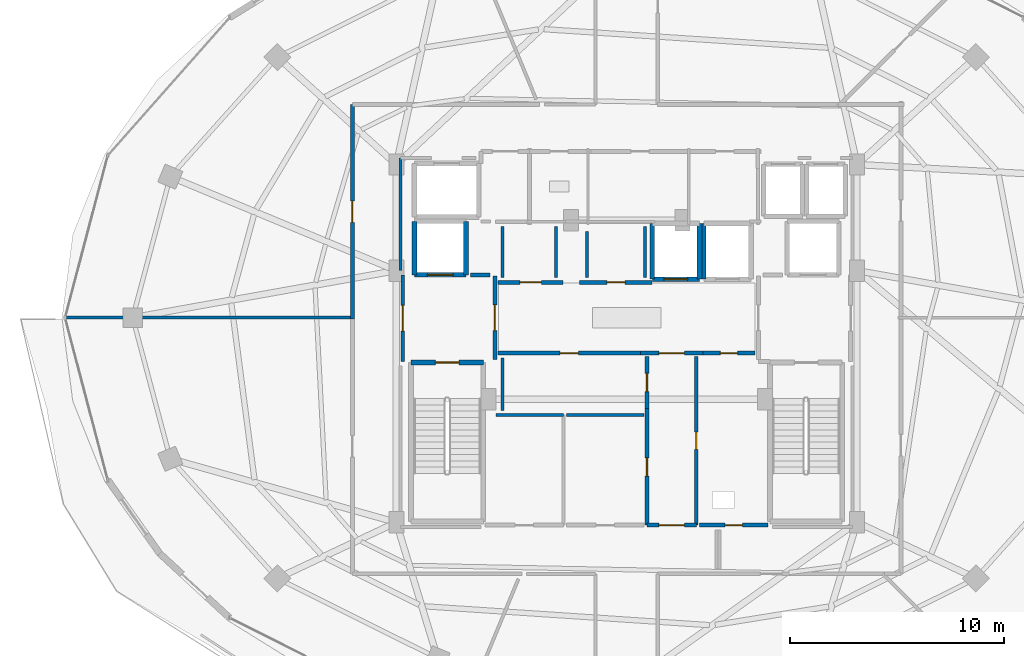
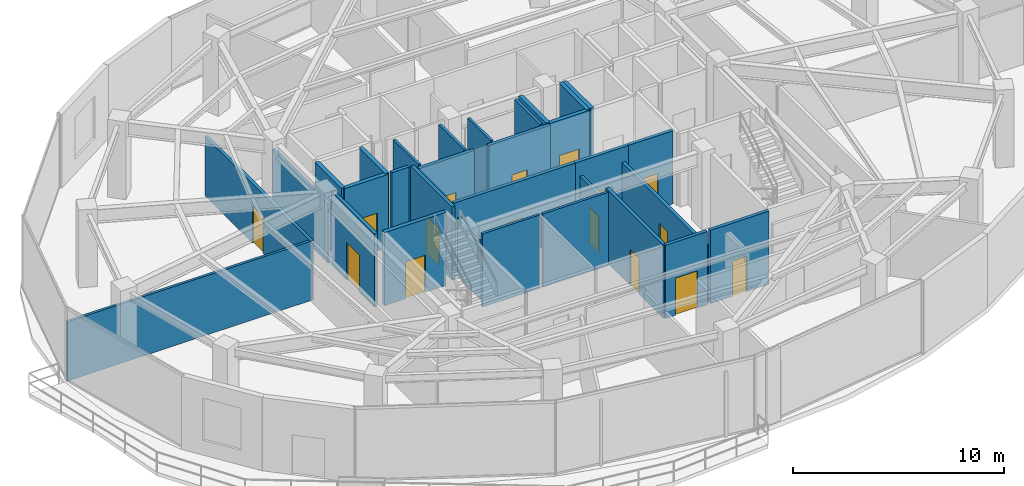
# One storey, part 21 of 27: 31 walls, 16 doors, 16 openings.
"""IFC4 building model written with IfcOpenShell, lengths in metres."""

from ifc_helpers import new_model, si_unit, direction, frame, frame_2d, origin, place, context, subcontext, project, spatial, rectangle, extrude, material, layer, layer_set, type_object, element, fill, save


model = new_model("IFC4")

# Units and contexts
model_context = context("Model", 3, precision=1e-05, world=origin(), true_north=direction((0.0, 1.0)))
body_context = subcontext(model_context, "Body", "Model", "MODEL_VIEW")
ifc_project = project(units=[si_unit("LENGTHUNIT", "METRE"), si_unit("AREAUNIT", "SQUARE_METRE"), si_unit("VOLUMEUNIT", "CUBIC_METRE"), si_unit("PLANEANGLEUNIT", "RADIAN"), si_unit("MASSUNIT", "GRAM", prefix="KILO")], contexts=[model_context])

# Site, building, storey
site_placement = place(None, origin())
site = spatial("IfcSite", under=ifc_project, at=site_placement, CompositionType="ELEMENT")
building_placement = place(site_placement, origin())
building = spatial("IfcBuilding", under=site, at=building_placement, Name="Vorneva Point Tower", CompositionType="ELEMENT")
storey_placement = place(building_placement, frame((0.0, 0.0, 229.75)))
storey = spatial("IfcBuildingStorey", under=building, at=storey_placement, Name="L62", CompositionType="ELEMENT", Elevation=229.75)

# Wall, opening, door
ifc_material_1 = material(Name="Concrete B60 (C50/60)", Category="concrete")
ifc_layer_1 = layer(ifc_material_1, 0.35009765625)
ifc_layer_set_1 = layer_set([ifc_layer_1], Name="Concrete B60 (C50/60)")
wall_type_1 = type_object("IfcWallType", Name="WL-CORE-350", PredefinedType="SHEAR", material=ifc_layer_set_1)
wall_1_placement = place(storey_placement, frame((28.10009765625, 28.0, 0.0), z_axis=(0.0, 0.0, 1.0), x_axis=(1.0, 0.0, 0.0)))
wall_1 = element("IfcWall", 1, at=wall_1_placement, inside=storey, type_object=wall_type_1, Name="L62 Lift FFL1 Shaft Wall -Y", PredefinedType="SHEAR", context=body_context, shape_type="SweptSolid", body=[
    extrude(rectangle(XDim=2.39990234375, YDim=0.219970703125, at=frame_2d((1.199951171875, 0.0))), origin(), (0.0, 0.0, 1.0), 4.239990234375),
])
opening_1_placement = place(wall_1_placement, frame((0.60009765625, 0.0, 0.0)))
opening_1 = element("IfcOpeningElement", 2, at=opening_1_placement, cuts=wall_1, Name="Opening LD-02", PredefinedType="OPENING", context=body_context, shape_type="SweptSolid", body=[
    extrude(rectangle(XDim=1.199951171875, YDim=2.199951171875, at=frame_2d((0.60009765625, 1.10009765625))), frame((0.0, 0.125, 0.0), z_axis=(0.0, -1.0, 0.0), x_axis=(1.0, 0.0, 0.0)), (0.0, 0.0, 1.0), 0.249755859375),
])
ifc_material_2 = material(Name="Brushed stainless steel S304", Category="steel")
door_type_1 = type_object("IfcDoorType", Name="LD-FIRE-1200", OperationType="SLIDING_TO_LEFT", PredefinedType="DOOR", material=ifc_material_2)
door_1_placement = place(opening_1_placement, origin())
door_1 = element("IfcDoor", 3, at=door_1_placement, inside=storey, type_object=door_type_1, Name="L62 Lift FFL1 Sliding Landing Door", OperationType="SLIDING_TO_LEFT", OverallHeight=2.199951171875, OverallWidth=1.199951171875, PredefinedType="DOOR", context=body_context, shape_type="SweptSolid", body=[
    extrude(rectangle(XDim=1.199951171875, YDim=2.199951171875, at=frame_2d((0.60009765625, 1.10009765625))), frame((0.0, 0.02490234375, 0.0), z_axis=(0.0, -1.0, 0.0), x_axis=(1.0, 0.0, 0.0)), (0.0, 0.0, 1.0), 0.050048828125),
])
fill(opening_1, door_1)

# Walls
for number, where, z_axis, x_axis, name in (
    (4, (30.5, 28.0, 0.0), (0.0, 0.0, 1.0), (0.0, 1.0, 0.0), "L62 Lift FFL1 Shaft Wall +X"),
    (5, (28.10009765625, 30.5, 0.0), (0.0, 0.0, 1.0), (0.0, -1.0, 0.0), "L62 Lift FFL1 Shaft Wall -X"),
):
    element("IfcWall", number, at=place(storey_placement, frame(where, z_axis=z_axis, x_axis=x_axis)), inside=storey, type_object=wall_type_1, Name=name, PredefinedType="SHEAR", context=body_context, shape_type="SweptSolid", body=[
        extrude(rectangle(XDim=2.5, YDim=0.219970703125, at=frame_2d((1.25, 0.0))), origin(), (0.0, 0.0, 1.0), 4.239990234375),
    ])
ifc_material_3 = material(Name="Fire-rated acoustic gypsum stud partition", Category="gypsum")
ifc_layer_2 = layer(ifc_material_3, 0.139892578125)
ifc_layer_set_2 = layer_set([ifc_layer_2], Name="Fire-rated acoustic gypsum stud partition")
wall_type_2 = type_object("IfcWallType", Name="WL-PART-140", PredefinedType="PARTITIONING", material=ifc_layer_set_2)
wall_2_placement = place(storey_placement, frame((35.050048828125, 21.449951171875, 0.0), z_axis=(0.0, 0.0, 1.0), x_axis=(-1.0, 0.0, 0.0)))
element("IfcWall", 6, at=wall_2_placement, inside=storey, type_object=wall_type_2, Name="L62 Interior Partition 029", PredefinedType="PARTITIONING", context=body_context, shape_type="SweptSolid", body=[
    extrude(rectangle(XDim=3.155029296875, YDim=0.139892578125, at=frame_2d((1.57763671875, 0.0))), origin(), (0.0, 0.0, 1.0), 4.239990234375),
])
wall_3_placement = place(storey_placement, frame((38.800048828125, 21.449951171875, 0.0), z_axis=(0.0, 0.0, 1.0), x_axis=(-1.0, 0.0, 0.0)))
element("IfcWall", 7, at=wall_3_placement, inside=storey, type_object=wall_type_2, Name="L62 Interior Partition 031", PredefinedType="PARTITIONING", context=body_context, shape_type="SweptSolid", body=[
    extrude(rectangle(XDim=3.60009765625, YDim=0.139892578125, at=frame_2d((1.800048828125, 0.0))), origin(), (0.0, 0.0, 1.0), 4.239990234375),
])
wall_4_placement = place(storey_placement, frame((11.801025390625, 26.0, 0.0), z_axis=(0.0, 0.0, 1.0), x_axis=(1.0, 0.0, 0.0)))
element("IfcWall", 8, at=wall_4_placement, inside=storey, type_object=wall_type_2, Name="L62 Interior Partition 048", PredefinedType="PARTITIONING", context=body_context, shape_type="SweptSolid", body=[
    extrude(rectangle(XDim=13.39892578125, YDim=0.139892578125, at=frame_2d((6.699462890625, 0.0))), origin(), (0.0, 0.0, 1.0), 3.431884765625),
])
for number, where, z_axis, x_axis, name in (
    (9, (32.199951171875, 30.260009765625, 0.0), (0.0, 0.0, 1.0), (0.0, -1.0, 0.0), "L62 Interior Closure Partition 057"),
    (10, (34.699951171875, 27.8701171875, 0.0), (0.0, 0.0, 1.0), (0.0, 1.0, 0.0), "L62 Interior Closure Partition 058"),
):
    element("IfcWall", number, at=place(storey_placement, frame(where, z_axis=z_axis, x_axis=x_axis)), inside=storey, type_object=wall_type_2, Name=name, PredefinedType="PARTITIONING", context=body_context, shape_type="SweptSolid", body=[
        extrude(rectangle(XDim=2.389892578125, YDim=0.139892578125, at=frame_2d((1.19482421875, 0.0))), origin(), (0.0, 0.0, 1.0), 4.239990234375),
    ])
wall_5_placement = place(storey_placement, frame((36.14990234375, 30.030029296875, 0.0), z_axis=(0.0, 0.0, 1.0), x_axis=(0.0, -1.0, 0.0)))
element("IfcWall", 11, at=wall_5_placement, inside=storey, type_object=wall_type_2, Name="L62 Interior Closure Partition 059", PredefinedType="PARTITIONING", context=body_context, shape_type="SweptSolid", body=[
    extrude(rectangle(XDim=2.159912109375, YDim=0.139892578125, at=frame_2d((1.080078125, 0.0))), origin(), (0.0, 0.0, 1.0), 4.239990234375),
])
wall_6_placement = place(storey_placement, frame((38.85009765625, 27.8701171875, 0.0), z_axis=(0.0, 0.0, 1.0), x_axis=(0.0, 1.0, 0.0)))
element("IfcWall", 12, at=wall_6_placement, inside=storey, type_object=wall_type_2, Name="L62 Interior Closure Partition 060", PredefinedType="PARTITIONING", context=body_context, shape_type="SweptSolid", body=[
    extrude(rectangle(XDim=2.389892578125, YDim=0.139892578125, at=frame_2d((1.19482421875, 0.0))), origin(), (0.0, 0.0, 1.0), 4.239990234375),
])
wall_7_placement = place(storey_placement, frame((32.199951171875, 24.1298828125, 0.0), z_axis=(0.0, 0.0, 1.0), x_axis=(0.0, -1.0, 0.0)))
element("IfcWall", 13, at=wall_7_placement, inside=storey, type_object=wall_type_2, Name="L62 Interior Closure Partition 061", PredefinedType="PARTITIONING", context=body_context, shape_type="SweptSolid", body=[
    extrude(rectangle(XDim=2.4599609375, YDim=0.139892578125, at=frame_2d((1.22998046875, 0.0))), origin(), (0.0, 0.0, 1.0), 3.431884765625),
])
wall_8_placement = place(storey_placement, frame((27.449951171875, 33.449951171875, 0.0), z_axis=(0.0, 0.0, 1.0), x_axis=(0.0, -1.0, 0.0)))
element("IfcWall", 14, at=wall_8_placement, inside=storey, type_object=wall_type_2, Name="L62 Interior Closure Partition 074", PredefinedType="PARTITIONING", context=body_context, shape_type="SweptSolid", body=[
    extrude(rectangle(XDim=5.25390625, YDim=0.139892578125, at=frame_2d((2.626953125, 0.0))), origin(), (0.0, 0.0, 1.0), 3.431884765625),
])

# Wall, opening, door
ifc_material_4 = material(Name="Autoclaved aerated concrete blockwork", Category="masonry")
ifc_layer_3 = layer(ifc_material_4, 0.179931640625)
ifc_layer_set_3 = layer_set([ifc_layer_3], Name="Autoclaved aerated concrete blockwork")
wall_type_3 = type_object("IfcWallType", Name="WL-PART-180", PredefinedType="PARTITIONING", material=ifc_layer_set_3)
wall_9_placement = place(storey_placement, frame((31.85009765625, 24.044921875, 0.0), z_axis=(0.0, 0.0, 1.0), x_axis=(0.0, 1.0, 0.0)))
wall_9 = element("IfcWall", 15, at=wall_9_placement, inside=storey, type_object=wall_type_3, Name="L62 Interior Partition 001", PredefinedType="PARTITIONING", context=body_context, shape_type="SweptSolid", body=[
    extrude(rectangle(XDim=3.91015625, YDim=0.179931640625, at=frame_2d((1.955078125, 0.0))), origin(), (0.0, 0.0, 1.0), 4.239990234375),
])
opening_2_placement = place(wall_9_placement, frame((1.35498046875, 0.0, 0.0)))
opening_2 = element("IfcOpeningElement", 16, at=opening_2_placement, cuts=wall_9, Name="Opening FD-02", PredefinedType="OPENING", context=body_context, shape_type="SweptSolid", body=[
    extrude(rectangle(XDim=1.199951171875, YDim=2.14990234375, at=frame_2d((0.60009765625, 1.074951171875))), frame((0.0, 0.10498046875, 0.0), z_axis=(0.0, -1.0, 0.0), x_axis=(1.0, 0.0, 0.0)), (0.0, 0.0, 1.0), 0.209716796875),
])
ifc_material_5 = material(Name="Fire-rated powder-coated steel", Category="steel")
door_type_2 = type_object("IfcDoorType", Name="DR-FFL-1200", OperationType="NOTDEFINED", PredefinedType="DOOR", material=ifc_material_5)
door_2_placement = place(opening_2_placement, origin())
door_2 = element("IfcDoor", 17, at=door_2_placement, inside=storey, type_object=door_type_2, Name="L62 Door West Firefighting Lobby / Central Lift Lobby", OperationType="SINGLE_SWING_RIGHT", OverallHeight=2.14990234375, OverallWidth=1.199951171875, PredefinedType="DOOR", context=body_context, shape_type="SweptSolid", body=[
    extrude(rectangle(XDim=1.199951171875, YDim=2.14990234375, at=frame_2d((0.60009765625, 1.074951171875))), frame((0.0, 0.02490234375, 0.0), z_axis=(0.0, -1.0, 0.0), x_axis=(1.0, 0.0, 0.0)), (0.0, 0.0, 1.0), 0.050048828125),
])
fill(opening_2, door_2)

wall_10_placement = place(storey_placement, frame((27.550048828125, 28.0, 0.0), z_axis=(0.0, 0.0, 1.0), x_axis=(0.0, -1.0, 0.0)))
wall_10 = element("IfcWall", 18, at=wall_10_placement, inside=storey, type_object=wall_type_3, Name="L62 Interior Partition 002", PredefinedType="PARTITIONING", context=body_context, shape_type="SweptSolid", body=[
    extrude(rectangle(XDim=4.050048828125, YDim=0.179931640625, at=frame_2d((2.02490234375, 0.0))), origin(), (0.0, 0.0, 1.0), 4.239990234375),
])
opening_3_placement = place(wall_10_placement, frame((1.425048828125, 0.0, 0.0)))
opening_3 = element("IfcOpeningElement", 19, at=opening_3_placement, cuts=wall_10, Name="Opening FD-02", PredefinedType="OPENING", context=body_context, shape_type="SweptSolid", body=[
    extrude(rectangle(XDim=1.199951171875, YDim=2.14990234375, at=frame_2d((0.60009765625, 1.074951171875))), frame((0.0, 0.10498046875, 0.0), z_axis=(0.0, -1.0, 0.0), x_axis=(1.0, 0.0, 0.0)), (0.0, 0.0, 1.0), 0.209716796875),
])
door_3_placement = place(opening_3_placement, origin())
door_3 = element("IfcDoor", 20, at=door_3_placement, inside=storey, type_object=door_type_2, Name="L62 Door West Firefighting Lobby / L62 Circulation Corridor", OperationType="SINGLE_SWING_RIGHT", OverallHeight=2.14990234375, OverallWidth=1.199951171875, PredefinedType="DOOR", context=body_context, shape_type="SweptSolid", body=[
    extrude(rectangle(XDim=1.199951171875, YDim=2.14990234375, at=frame_2d((0.60009765625, 1.074951171875))), frame((0.0, 0.02490234375, 0.0), z_axis=(0.0, -1.0, 0.0), x_axis=(1.0, 0.0, 0.0)), (0.0, 0.0, 1.0), 0.050048828125),
])
fill(opening_3, door_3)

wall_11_placement = place(storey_placement, frame((38.64501953125, 24.35009765625, 0.0), z_axis=(0.0, 0.0, 1.0), x_axis=(1.0, 0.0, 0.0)))
wall_11 = element("IfcWall", 21, at=wall_11_placement, inside=storey, type_object=wall_type_3, Name="L62 Interior Partition 010", PredefinedType="PARTITIONING", context=body_context, shape_type="SweptSolid", body=[
    extrude(rectangle(XDim=2.909912109375, YDim=0.179931640625, at=frame_2d((1.455078125, 0.0))), origin(), (0.0, 0.0, 1.0), 4.239990234375),
])
opening_4_placement = place(wall_11_placement, frame((0.85498046875, 0.0, 0.0)))
opening_4 = element("IfcOpeningElement", 22, at=opening_4_placement, cuts=wall_11, Name="Opening FD-02", PredefinedType="OPENING", context=body_context, shape_type="SweptSolid", body=[
    extrude(rectangle(XDim=1.199951171875, YDim=2.14990234375, at=frame_2d((0.60009765625, 1.074951171875))), frame((0.0, 0.10498046875, 0.0), z_axis=(0.0, -1.0, 0.0), x_axis=(1.0, 0.0, 0.0)), (0.0, 0.0, 1.0), 0.209716796875),
])
door_4_placement = place(opening_4_placement, origin())
door_4 = element("IfcDoor", 23, at=door_4_placement, inside=storey, type_object=door_type_2, Name="L62 Door Central Lift Lobby / Core Service Lobby", OperationType="SINGLE_SWING_LEFT", OverallHeight=2.14990234375, OverallWidth=1.199951171875, PredefinedType="DOOR", context=body_context, shape_type="SweptSolid", body=[
    extrude(rectangle(XDim=1.199951171875, YDim=2.14990234375, at=frame_2d((0.60009765625, 1.074951171875))), frame((0.0, 0.02490234375, 0.0), z_axis=(0.0, -1.0, 0.0), x_axis=(1.0, 0.0, 0.0)), (0.0, 0.0, 1.0), 0.050048828125),
])
fill(opening_4, door_4)

wall_12_placement = place(storey_placement, frame((41.554931640625, 24.35009765625, 0.0), z_axis=(0.0, 0.0, 1.0), x_axis=(1.0, 0.0, 0.0)))
wall_12 = element("IfcWall", 24, at=wall_12_placement, inside=storey, type_object=wall_type_3, Name="L62 Interior Partition 011", PredefinedType="PARTITIONING", context=body_context, shape_type="SweptSolid", body=[
    extrude(rectangle(XDim=2.445068359375, YDim=0.179931640625, at=frame_2d((1.22265625, 0.0))), origin(), (0.0, 0.0, 1.0), 4.239990234375),
])
opening_5_placement = place(wall_12_placement, frame((0.822509765625, 0.0, 0.0)))
opening_5 = element("IfcOpeningElement", 25, at=opening_5_placement, cuts=wall_12, Name="Opening RD-01", PredefinedType="OPENING", context=body_context, shape_type="SweptSolid", body=[
    extrude(rectangle(XDim=0.800048828125, YDim=2.050048828125, at=frame_2d((0.39990234375, 1.02490234375))), frame((0.0, 0.10498046875, 0.0), z_axis=(0.0, -1.0, 0.0), x_axis=(1.0, 0.0, 0.0)), (0.0, 0.0, 1.0), 0.209716796875),
])
door_type_3 = type_object("IfcDoorType", Name="DR-RSR-800", OperationType="SINGLE_SWING_LEFT", PredefinedType="DOOR", material=ifc_material_5)
door_5_placement = place(opening_5_placement, origin())
door_5 = element("IfcDoor", 26, at=door_5_placement, inside=storey, type_object=door_type_3, Name="L62 Door Central Lift Lobby / Electrical Riser", OperationType="SINGLE_SWING_RIGHT", OverallHeight=2.050048828125, OverallWidth=0.800048828125, PredefinedType="DOOR", context=body_context, shape_type="SweptSolid", body=[
    extrude(rectangle(XDim=0.800048828125, YDim=2.050048828125, at=frame_2d((0.39990234375, 1.02490234375))), frame((0.0, 0.02490234375, 0.0), z_axis=(0.0, -1.0, 0.0), x_axis=(1.0, 0.0, 0.0)), (0.0, 0.0, 1.0), 0.050048828125),
])
fill(opening_5, door_5)

wall_13_placement = place(storey_placement, frame((35.0400390625, 27.64990234375, 0.0), z_axis=(0.0, 0.0, 1.0), x_axis=(-1.0, 0.0, 0.0)))
wall_13 = element("IfcWall", 27, at=wall_13_placement, inside=storey, type_object=wall_type_3, Name="L62 Interior Partition 012", PredefinedType="PARTITIONING", context=body_context, shape_type="SweptSolid", body=[
    extrude(rectangle(XDim=3.0400390625, YDim=0.179931640625, at=frame_2d((1.52001953125, 0.0))), origin(), (0.0, 0.0, 1.0), 4.239990234375),
])
opening_6_placement = place(wall_13_placement, frame((1.02001953125, 0.0, 0.0)))
opening_6 = element("IfcOpeningElement", 28, at=opening_6_placement, cuts=wall_13, Name="Opening UD-01", PredefinedType="OPENING", context=body_context, shape_type="SweptSolid", body=[
    extrude(rectangle(XDim=1.0, YDim=2.14990234375, at=frame_2d((0.5, 1.074951171875))), frame((0.0, 0.10498046875, 0.0), z_axis=(0.0, -1.0, 0.0), x_axis=(1.0, 0.0, 0.0)), (0.0, 0.0, 1.0), 0.209716796875),
])
ifc_material_6 = material(Name="Engineered oak fire-rated door leaf", Category="wood")
door_type_4 = type_object("IfcDoorType", Name="DR-UNIT-1000", OperationType="NOTDEFINED", PredefinedType="DOOR", material=ifc_material_6)
door_6_placement = place(opening_6_placement, origin())
door_6 = element("IfcDoor", 29, at=door_6_placement, inside=storey, type_object=door_type_4, Name="L62 Door Central Lift Lobby / Reclaimed Core Lounge", OperationType="SINGLE_SWING_LEFT", OverallHeight=2.14990234375, OverallWidth=1.0, PredefinedType="DOOR", context=body_context, shape_type="SweptSolid", body=[
    extrude(rectangle(XDim=1.0, YDim=2.14990234375, at=frame_2d((0.5, 1.074951171875))), frame((0.0, 0.02490234375, 0.0), z_axis=(0.0, -1.0, 0.0), x_axis=(1.0, 0.0, 0.0)), (0.0, 0.0, 1.0), 0.050048828125),
])
fill(opening_6, door_6)

wall_14_placement = place(storey_placement, frame((39.18994140625, 27.64990234375, 0.0), z_axis=(0.0, 0.0, 1.0), x_axis=(-1.0, 0.0, 0.0)))
wall_14 = element("IfcWall", 30, at=wall_14_placement, inside=storey, type_object=wall_type_3, Name="L62 Interior Partition 013", PredefinedType="PARTITIONING", context=body_context, shape_type="SweptSolid", body=[
    extrude(rectangle(XDim=3.3798828125, YDim=0.179931640625, at=frame_2d((1.68994140625, 0.0))), origin(), (0.0, 0.0, 1.0), 4.239990234375),
])
opening_7_placement = place(wall_14_placement, frame((1.264892578125, 0.0, 0.0)))
opening_7 = element("IfcOpeningElement", 31, at=opening_7_placement, cuts=wall_14, Name="Opening ID-02", PredefinedType="OPENING", context=body_context, shape_type="SweptSolid", body=[
    extrude(rectangle(XDim=0.85009765625, YDim=2.10009765625, at=frame_2d((0.425048828125, 1.050048828125))), frame((0.0, 0.10498046875, 0.0), z_axis=(0.0, -1.0, 0.0), x_axis=(1.0, 0.0, 0.0)), (0.0, 0.0, 1.0), 0.209716796875),
])
door_type_5 = type_object("IfcDoorType", Name="DR-BATH-850", OperationType="NOTDEFINED", PredefinedType="DOOR", material=ifc_material_6)
door_7_placement = place(opening_7_placement, origin())
door_7 = element("IfcDoor", 32, at=door_7_placement, inside=storey, type_object=door_type_5, Name="L62 Door Central Lift Lobby / Reclaimed Core Archive Store", OperationType="SINGLE_SWING_RIGHT", OverallHeight=2.10009765625, OverallWidth=0.85009765625, PredefinedType="DOOR", context=body_context, shape_type="SweptSolid", body=[
    extrude(rectangle(XDim=0.85009765625, YDim=2.10009765625, at=frame_2d((0.425048828125, 1.050048828125))), frame((0.0, 0.02490234375, 0.0), z_axis=(0.0, -1.0, 0.0), x_axis=(1.0, 0.0, 0.0)), (0.0, 0.0, 1.0), 0.050048828125),
])
fill(opening_7, door_7)

wall_15_placement = place(storey_placement, frame((32.0, 24.35009765625, 0.0), z_axis=(0.0, 0.0, 1.0), x_axis=(1.0, 0.0, 0.0)))
wall_15 = element("IfcWall", 33, at=wall_15_placement, inside=storey, type_object=wall_type_3, Name="L62 Interior Partition 014", PredefinedType="PARTITIONING", context=body_context, shape_type="SweptSolid", body=[
    extrude(rectangle(XDim=6.64501953125, YDim=0.179931640625, at=frame_2d((3.322509765625, 0.0))), origin(), (0.0, 0.0, 1.0), 4.239990234375),
])
opening_8_placement = place(wall_15_placement, frame((2.8974609375, 0.0, 0.0)))
opening_8 = element("IfcOpeningElement", 34, at=opening_8_placement, cuts=wall_15, Name="Opening ID-02", PredefinedType="OPENING", context=body_context, shape_type="SweptSolid", body=[
    extrude(rectangle(XDim=0.85009765625, YDim=2.10009765625, at=frame_2d((0.425048828125, 1.050048828125))), frame((0.0, 0.10498046875, 0.0), z_axis=(0.0, -1.0, 0.0), x_axis=(1.0, 0.0, 0.0)), (0.0, 0.0, 1.0), 0.209716796875),
])
door_8_placement = place(opening_8_placement, origin())
door_8 = element("IfcDoor", 35, at=door_8_placement, inside=storey, type_object=door_type_5, Name="L62 Door Central Lift Lobby / Reclaimed High-Zone Wine Vault", OperationType="SINGLE_SWING_LEFT", OverallHeight=2.10009765625, OverallWidth=0.85009765625, PredefinedType="DOOR", context=body_context, shape_type="SweptSolid", body=[
    extrude(rectangle(XDim=0.85009765625, YDim=2.10009765625, at=frame_2d((0.425048828125, 1.050048828125))), frame((0.0, 0.02490234375, 0.0), z_axis=(0.0, -1.0, 0.0), x_axis=(1.0, 0.0, 0.0)), (0.0, 0.0, 1.0), 0.050048828125),
])
fill(opening_8, door_8)

wall_16_placement = place(storey_placement, frame((41.25, 16.320068359375, 0.0), z_axis=(0.0, 0.0, 1.0), x_axis=(0.0, 1.0, 0.0)))
wall_16 = element("IfcWall", 36, at=wall_16_placement, inside=storey, type_object=wall_type_3, Name="L62 Interior Partition 015", PredefinedType="PARTITIONING", context=body_context, shape_type="SweptSolid", body=[
    extrude(rectangle(XDim=7.8798828125, YDim=0.179931640625, at=frame_2d((3.93994140625, 0.0))), origin(), (0.0, 0.0, 1.0), 3.431884765625),
])
opening_9_placement = place(wall_16_placement, frame((3.5400390625, 0.0, 0.0)))
opening_9 = element("IfcOpeningElement", 37, at=opening_9_placement, cuts=wall_16, Name="Opening RD-01", PredefinedType="OPENING", context=body_context, shape_type="SweptSolid", body=[
    extrude(rectangle(XDim=0.800048828125, YDim=2.050048828125, at=frame_2d((0.39990234375, 1.02490234375))), frame((0.0, 0.10498046875, 0.0), z_axis=(0.0, -1.0, 0.0), x_axis=(1.0, 0.0, 0.0)), (0.0, 0.0, 1.0), 0.209716796875),
])
door_9_placement = place(opening_9_placement, origin())
door_9 = element("IfcDoor", 38, at=door_9_placement, inside=storey, type_object=door_type_3, Name="L62 Door Core Service Lobby / Electrical Riser", OperationType="SINGLE_SWING_RIGHT", OverallHeight=2.050048828125, OverallWidth=0.800048828125, PredefinedType="DOOR", context=body_context, shape_type="SweptSolid", body=[
    extrude(rectangle(XDim=0.800048828125, YDim=2.050048828125, at=frame_2d((0.39990234375, 1.02490234375))), frame((0.0, 0.02490234375, 0.0), z_axis=(0.0, -1.0, 0.0), x_axis=(1.0, 0.0, 0.0)), (0.0, 0.0, 1.0), 0.050048828125),
])
fill(opening_9, door_9)

wall_17_placement = place(storey_placement, frame((38.949951171875, 21.7548828125, 0.0), z_axis=(0.0, 0.0, 1.0), x_axis=(0.0, -1.0, 0.0)))
wall_17 = element("IfcWall", 39, at=wall_17_placement, inside=storey, type_object=wall_type_3, Name="L62 Interior Partition 016", PredefinedType="PARTITIONING", context=body_context, shape_type="SweptSolid", body=[
    extrude(rectangle(XDim=5.434814453125, YDim=0.179931640625, at=frame_2d((2.71728515625, 0.0))), origin(), (0.0, 0.0, 1.0), 4.239990234375),
])
opening_10_placement = place(wall_17_placement, frame((2.29248046875, 0.0, 0.0)))
opening_10 = element("IfcOpeningElement", 40, at=opening_10_placement, cuts=wall_17, Name="Opening ID-02", PredefinedType="OPENING", context=body_context, shape_type="SweptSolid", body=[
    extrude(rectangle(XDim=0.85009765625, YDim=2.10009765625, at=frame_2d((0.425048828125, 1.050048828125))), frame((0.0, 0.10498046875, 0.0), z_axis=(0.0, -1.0, 0.0), x_axis=(1.0, 0.0, 0.0)), (0.0, 0.0, 1.0), 0.209716796875),
])
door_10_placement = place(opening_10_placement, origin())
door_10 = element("IfcDoor", 41, at=door_10_placement, inside=storey, type_object=door_type_5, Name="L62 Door Core Service Lobby / Tenant Equipment Store", OperationType="SINGLE_SWING_LEFT", OverallHeight=2.10009765625, OverallWidth=0.85009765625, PredefinedType="DOOR", context=body_context, shape_type="SweptSolid", body=[
    extrude(rectangle(XDim=0.85009765625, YDim=2.10009765625, at=frame_2d((0.425048828125, 1.050048828125))), frame((0.0, 0.02490234375, 0.0), z_axis=(0.0, -1.0, 0.0), x_axis=(1.0, 0.0, 0.0)), (0.0, 0.0, 1.0), 0.050048828125),
])
fill(opening_10, door_10)

wall_18_placement = place(storey_placement, frame((38.949951171875, 24.199951171875, 0.0), z_axis=(0.0, 0.0, 1.0), x_axis=(0.0, -1.0, 0.0)))
wall_18 = element("IfcWall", 42, at=wall_18_placement, inside=storey, type_object=wall_type_3, Name="L62 Interior Partition 017", PredefinedType="PARTITIONING", context=body_context, shape_type="SweptSolid", body=[
    extrude(rectangle(XDim=2.445068359375, YDim=0.179931640625, at=frame_2d((1.22265625, 0.0))), origin(), (0.0, 0.0, 1.0), 3.431884765625),
])
opening_11_placement = place(wall_18_placement, frame((0.797607421875, 0.0, 0.0)))
opening_11 = element("IfcOpeningElement", 43, at=opening_11_placement, cuts=wall_18, Name="Opening ID-02", PredefinedType="OPENING", context=body_context, shape_type="SweptSolid", body=[
    extrude(rectangle(XDim=0.85009765625, YDim=2.10009765625, at=frame_2d((0.425048828125, 1.050048828125))), frame((0.0, 0.10498046875, 0.0), z_axis=(0.0, -1.0, 0.0), x_axis=(1.0, 0.0, 0.0)), (0.0, 0.0, 1.0), 0.209716796875),
])
door_11_placement = place(opening_11_placement, origin())
door_11 = element("IfcDoor", 44, at=door_11_placement, inside=storey, type_object=door_type_5, Name="L62 Door Core Service Lobby / Reclaimed High-Zone Wine Vault", OperationType="SINGLE_SWING_RIGHT", OverallHeight=2.10009765625, OverallWidth=0.85009765625, PredefinedType="DOOR", context=body_context, shape_type="SweptSolid", body=[
    extrude(rectangle(XDim=0.85009765625, YDim=2.10009765625, at=frame_2d((0.425048828125, 1.050048828125))), frame((0.0, 0.02490234375, 0.0), z_axis=(0.0, -1.0, 0.0), x_axis=(1.0, 0.0, 0.0)), (0.0, 0.0, 1.0), 0.050048828125),
])
fill(opening_11, door_11)

wall_19_placement = place(storey_placement, frame((38.949951171875, 16.320068359375, 0.0), z_axis=(0.0, 0.0, 1.0), x_axis=(1.0, 0.0, 0.0)))
wall_19 = element("IfcWall", 45, at=wall_19_placement, inside=storey, type_object=wall_type_3, Name="L62 Interior Partition 018", PredefinedType="PARTITIONING", context=body_context, shape_type="SweptSolid", body=[
    extrude(rectangle(XDim=2.300048828125, YDim=0.179931640625, at=frame_2d((1.14990234375, 0.0))), origin(), (0.0, 0.0, 1.0), 4.239990234375),
])
opening_12_placement = place(wall_19_placement, frame((0.550048828125, 0.0, 0.0)))
opening_12 = element("IfcOpeningElement", 46, at=opening_12_placement, cuts=wall_19, Name="Opening FD-02", PredefinedType="OPENING", context=body_context, shape_type="SweptSolid", body=[
    extrude(rectangle(XDim=1.199951171875, YDim=2.14990234375, at=frame_2d((0.60009765625, 1.074951171875))), frame((0.0, 0.10498046875, 0.0), z_axis=(0.0, -1.0, 0.0), x_axis=(1.0, 0.0, 0.0)), (0.0, 0.0, 1.0), 0.209716796875),
])
door_12_placement = place(opening_12_placement, origin())
door_12 = element("IfcDoor", 47, at=door_12_placement, inside=storey, type_object=door_type_2, Name="L62 Door Core Service Lobby / L62 Circulation Corridor", OperationType="SINGLE_SWING_LEFT", OverallHeight=2.14990234375, OverallWidth=1.199951171875, PredefinedType="DOOR", context=body_context, shape_type="SweptSolid", body=[
    extrude(rectangle(XDim=1.199951171875, YDim=2.14990234375, at=frame_2d((0.60009765625, 1.074951171875))), frame((0.0, 0.02490234375, 0.0), z_axis=(0.0, -1.0, 0.0), x_axis=(1.0, 0.0, 0.0)), (0.0, 0.0, 1.0), 0.050048828125),
])
fill(opening_12, door_12)

wall_20_placement = place(storey_placement, frame((41.39990234375, 16.320068359375, 0.0), z_axis=(0.0, 0.0, 1.0), x_axis=(1.0, 0.0, 0.0)))
wall_20 = element("IfcWall", 48, at=wall_20_placement, inside=storey, type_object=wall_type_3, Name="L62 Interior Partition 019", PredefinedType="PARTITIONING", context=body_context, shape_type="SweptSolid", body=[
    extrude(rectangle(XDim=3.2001953125, YDim=0.179931640625, at=frame_2d((1.60009765625, 0.0))), origin(), (0.0, 0.0, 1.0), 4.239990234375),
])
opening_13_placement = place(wall_20_placement, frame((1.199951171875, 0.0, 0.0)))
opening_13 = element("IfcOpeningElement", 49, at=opening_13_placement, cuts=wall_20, Name="Opening RD-01", PredefinedType="OPENING", context=body_context, shape_type="SweptSolid", body=[
    extrude(rectangle(XDim=0.800048828125, YDim=2.050048828125, at=frame_2d((0.39990234375, 1.02490234375))), frame((0.0, 0.10498046875, 0.0), z_axis=(0.0, -1.0, 0.0), x_axis=(1.0, 0.0, 0.0)), (0.0, 0.0, 1.0), 0.209716796875),
])
door_13_placement = place(opening_13_placement, origin())
door_13 = element("IfcDoor", 50, at=door_13_placement, inside=storey, type_object=door_type_3, Name="L62 Door Electrical Riser / L62 Circulation Corridor", OperationType="SINGLE_SWING_RIGHT", OverallHeight=2.050048828125, OverallWidth=0.800048828125, PredefinedType="DOOR", context=body_context, shape_type="SweptSolid", body=[
    extrude(rectangle(XDim=0.800048828125, YDim=2.050048828125, at=frame_2d((0.39990234375, 1.02490234375))), frame((0.0, 0.02490234375, 0.0), z_axis=(0.0, -1.0, 0.0), x_axis=(1.0, 0.0, 0.0)), (0.0, 0.0, 1.0), 0.050048828125),
])
fill(opening_13, door_13)

wall_21_placement = place(storey_placement, frame((25.199951171875, 35.949951171875, 0.0), z_axis=(0.0, 0.0, 1.0), x_axis=(0.0, -1.0, 0.0)))
wall_21 = element("IfcWall", 51, at=wall_21_placement, inside=storey, type_object=wall_type_3, Name="L62 Interior Partition 037", PredefinedType="PARTITIONING", context=body_context, shape_type="SweptSolid", body=[
    extrude(rectangle(XDim=10.010009765625, YDim=0.179931640625, at=frame_2d((5.0048828125, 0.0))), origin(), (0.0, 0.0, 1.0), 3.431884765625),
])
opening_14_placement = place(wall_21_placement, frame((4.5048828125, 0.0, 0.0)))
opening_14 = element("IfcOpeningElement", 52, at=opening_14_placement, cuts=wall_21, Name="Opening UD-01", PredefinedType="OPENING", context=body_context, shape_type="SweptSolid", body=[
    extrude(rectangle(XDim=1.0, YDim=2.14990234375, at=frame_2d((0.5, 1.074951171875))), frame((0.0, 0.10498046875, 0.0), z_axis=(0.0, -1.0, 0.0), x_axis=(1.0, 0.0, 0.0)), (0.0, 0.0, 1.0), 0.209716796875),
])
door_14_placement = place(opening_14_placement, origin())
door_14 = element("IfcDoor", 53, at=door_14_placement, inside=storey, type_object=door_type_4, Name="L62 Door L62 Circulation Corridor / Sky Lounge L62", OperationType="SINGLE_SWING_LEFT", OverallHeight=2.14990234375, OverallWidth=1.0, PredefinedType="DOOR", context=body_context, shape_type="SweptSolid", body=[
    extrude(rectangle(XDim=1.0, YDim=2.14990234375, at=frame_2d((0.5, 1.074951171875))), frame((0.0, 0.02490234375, 0.0), z_axis=(0.0, -1.0, 0.0), x_axis=(1.0, 0.0, 0.0)), (0.0, 0.0, 1.0), 0.050048828125),
])
fill(opening_14, door_14)

# Wall
wall_22_placement = place(storey_placement, frame((31.635009765625, 28.0, 0.0), z_axis=(0.0, 0.0, 1.0), x_axis=(-1.0, 0.0, 0.0)))
element("IfcWall", 54, at=wall_22_placement, inside=storey, type_object=wall_type_3, Name="L62 Interior Closure Partition 051", PredefinedType="PARTITIONING", context=body_context, shape_type="SweptSolid", body=[
    extrude(rectangle(XDim=0.9150390625, YDim=0.179931640625, at=frame_2d((0.45751953125, 0.0))), origin(), (0.0, 0.0, 1.0), 4.239990234375),
])

# Wall, opening, door
ifc_material_7 = material(Name="Concrete B50 (C40/50)", Category="concrete")
ifc_layer_4 = layer(ifc_material_7, 0.219970703125)
ifc_layer_set_4 = layer_set([ifc_layer_4], Name="Concrete B50 (C40/50)")
wall_type_4 = type_object("IfcWallType", Name="WL-SHFT-220", PredefinedType="SOLIDWALL", material=ifc_layer_set_4)
wall_23_placement = place(storey_placement, frame((27.93994140625, 23.909912109375, 0.0), z_axis=(0.0, 0.0, 1.0), x_axis=(1.0, 0.0, 0.0)))
wall_23 = element("IfcWall", 55, at=wall_23_placement, inside=storey, type_object=wall_type_4, Name="L62 Exit Stair ST1 Shaft Wall near", PredefinedType="SOLIDWALL", context=body_context, shape_type="SweptSolid", body=[
    extrude(rectangle(XDim=3.3701171875, YDim=0.219970703125, at=frame_2d((1.68505859375, 0.0))), origin(), (0.0, 0.0, 1.0), 4.239990234375),
])
opening_15_placement = place(wall_23_placement, frame((1.135009765625, 0.0, 0.0)))
opening_15 = element("IfcOpeningElement", 56, at=opening_15_placement, cuts=wall_23, Name="Opening FD-01", PredefinedType="OPENING", context=body_context, shape_type="SweptSolid", body=[
    extrude(rectangle(XDim=1.10009765625, YDim=2.14990234375, at=frame_2d((0.550048828125, 1.074951171875))), frame((0.0, 0.125, 0.0), z_axis=(0.0, -1.0, 0.0), x_axis=(1.0, 0.0, 0.0)), (0.0, 0.0, 1.0), 0.249755859375),
])
door_type_6 = type_object("IfcDoorType", Name="DR-STAIR-1100", OperationType="NOTDEFINED", PredefinedType="DOOR", material=ifc_material_5)
door_15_placement = place(opening_15_placement, origin())
door_15 = element("IfcDoor", 57, at=door_15_placement, inside=storey, type_object=door_type_6, Name="L62 Exit Stair ST1 Fire Door", OperationType="SINGLE_SWING_RIGHT", OverallHeight=2.14990234375, OverallWidth=1.10009765625, PredefinedType="DOOR", context=body_context, shape_type="SweptSolid", body=[
    extrude(rectangle(XDim=1.10009765625, YDim=2.14990234375, at=frame_2d((0.550048828125, 1.074951171875))), frame((0.0, 0.02490234375, 0.0), z_axis=(0.0, -1.0, 0.0), x_axis=(1.0, 0.0, 0.0)), (0.0, 0.0, 1.0), 0.050048828125),
])
fill(opening_15, door_15)

wall_24_placement = place(storey_placement, frame((39.199951171875, 27.800048828125, 0.0), z_axis=(0.0, 0.0, 1.0), x_axis=(1.0, 0.0, 0.0)))
wall_24 = element("IfcWall", 58, at=wall_24_placement, inside=storey, type_object=wall_type_4, Name="L62 Lift PL7 Shaft Wall -Y", PredefinedType="SOLIDWALL", context=body_context, shape_type="SweptSolid", body=[
    extrude(rectangle(XDim=2.199951171875, YDim=0.219970703125, at=frame_2d((1.10009765625, 0.0))), origin(), (0.0, 0.0, 1.0), 4.239990234375),
])
opening_16_placement = place(wall_24_placement, frame((0.550048828125, 0.0, 0.0)))
opening_16 = element("IfcOpeningElement", 59, at=opening_16_placement, cuts=wall_24, Name="Opening LD-01", PredefinedType="OPENING", context=body_context, shape_type="SweptSolid", body=[
    extrude(rectangle(XDim=1.10009765625, YDim=2.199951171875, at=frame_2d((0.550048828125, 1.10009765625))), frame((0.0, 0.125, 0.0), z_axis=(0.0, -1.0, 0.0), x_axis=(1.0, 0.0, 0.0)), (0.0, 0.0, 1.0), 0.249755859375),
])
door_type_7 = type_object("IfcDoorType", Name="LD-PASS-1100", OperationType="SLIDING_TO_LEFT", PredefinedType="DOOR", material=ifc_material_2)
door_16_placement = place(opening_16_placement, origin())
door_16 = element("IfcDoor", 60, at=door_16_placement, inside=storey, type_object=door_type_7, Name="L62 Lift PL7 Sliding Landing Door", OperationType="SLIDING_TO_LEFT", OverallHeight=2.199951171875, OverallWidth=1.10009765625, PredefinedType="DOOR", context=body_context, shape_type="SweptSolid", body=[
    extrude(rectangle(XDim=1.10009765625, YDim=2.199951171875, at=frame_2d((0.550048828125, 1.10009765625))), frame((0.0, 0.02490234375, 0.0), z_axis=(0.0, -1.0, 0.0), x_axis=(1.0, 0.0, 0.0)), (0.0, 0.0, 1.0), 0.050048828125),
])
fill(opening_16, door_16)

# Walls
for number, where, z_axis, x_axis, name in (
    (61, (41.39990234375, 27.800048828125, 0.0), (0.0, 0.0, 1.0), (0.0, 1.0, 0.0), "L62 Lift PL7 Shaft Wall +X"),
    (62, (39.199951171875, 30.39990234375, 0.0), (0.0, 0.0, 1.0), (0.0, -1.0, 0.0), "L62 Lift PL7 Shaft Wall -X"),
    (63, (41.60009765625, 30.39990234375, 0.0), (0.0, 0.0, 1.0), (0.0, -1.0, 0.0), "L62 Lift PL8 Shaft Wall -X"),
):
    element("IfcWall", number, at=place(storey_placement, frame(where, z_axis=z_axis, x_axis=x_axis)), inside=storey, type_object=wall_type_4, Name=name, PredefinedType="SOLIDWALL", context=body_context, shape_type="SweptSolid", body=[
        extrude(rectangle(XDim=2.599853515625, YDim=0.219970703125, at=frame_2d((1.2998046875, 0.0))), origin(), (0.0, 0.0, 1.0), 4.239990234375),
    ])

save(model, "model.ifc")
